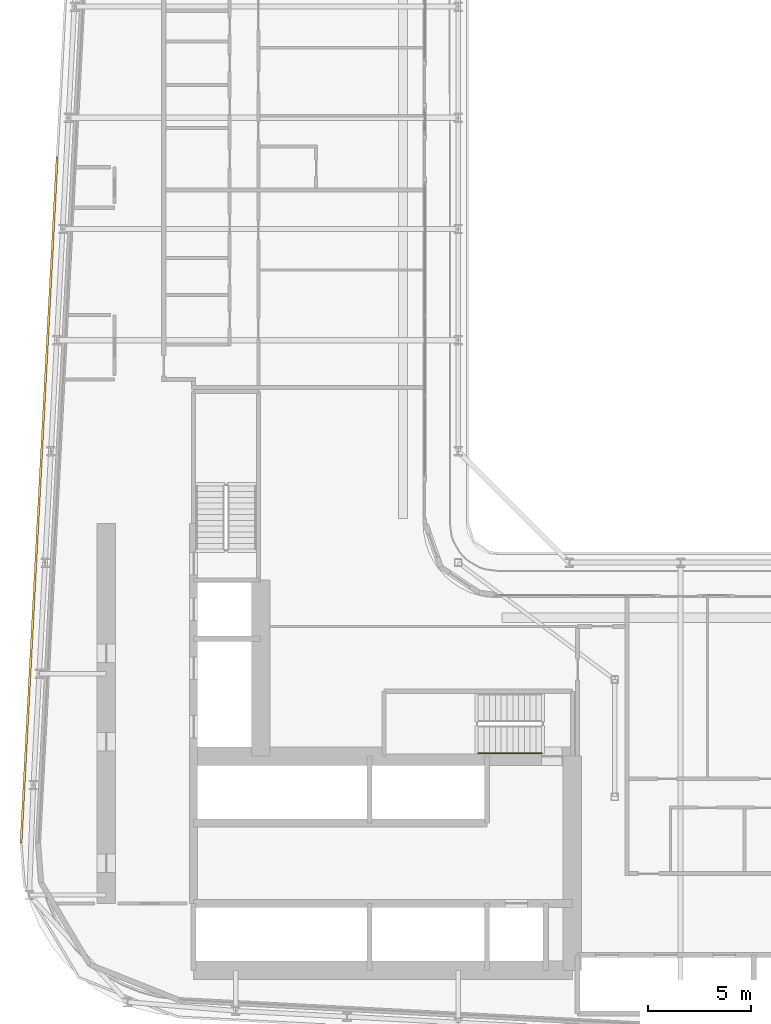
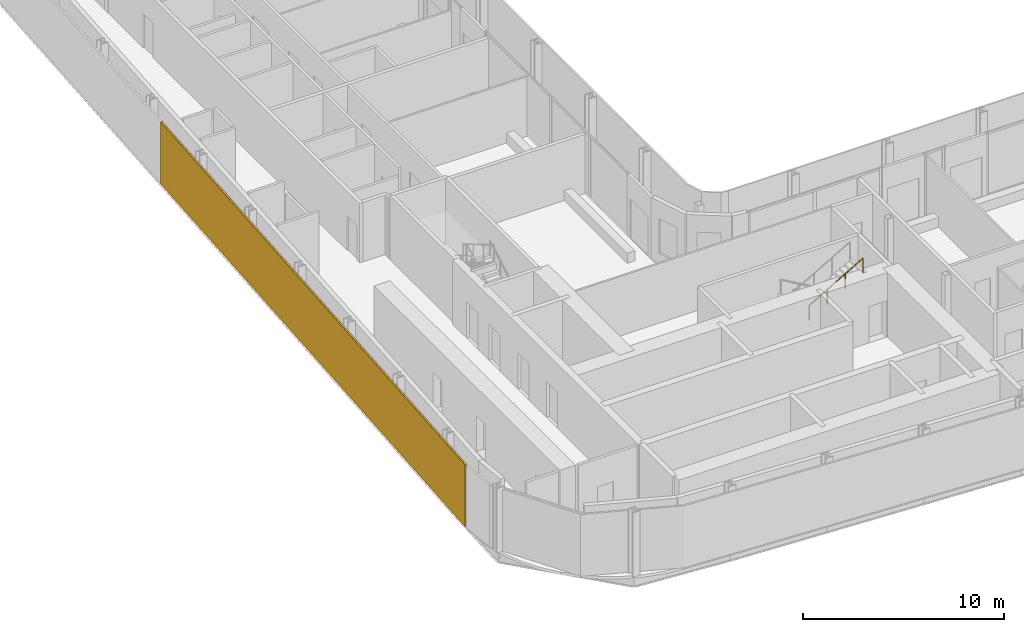
# One storey, part 22 of 28: 1 railing, 1 shading device.
"""IFC4 building model written with IfcOpenShell, lengths in metres."""

from ifc_helpers import new_model, si_unit, direction, frame, origin, origin_2d, place, context, subcontext, project, spatial, rectangle, circle, extrude, material, layer, layer_set, type_object, element, save


model = new_model("IFC4")

# Units and contexts
model_context = context("Model", 3, precision=1e-05, world=origin(), true_north=direction((0.0, 1.0)))
body_context = subcontext(model_context, "Body", "Model", "MODEL_VIEW")
ifc_project = project(units=[si_unit("LENGTHUNIT", "METRE"), si_unit("AREAUNIT", "SQUARE_METRE"), si_unit("VOLUMEUNIT", "CUBIC_METRE"), si_unit("PLANEANGLEUNIT", "RADIAN"), si_unit("MASSUNIT", "GRAM", prefix="KILO")], contexts=[model_context])

# Site, building, storey
site_placement = place(None, origin())
site = spatial("IfcSite", under=ifc_project, at=site_placement, CompositionType="ELEMENT")
building_placement = place(site_placement, origin())
building = spatial("IfcBuilding", under=site, at=building_placement, Name="Kheshtan School and Residences Tower", CompositionType="ELEMENT")
storey_placement = place(building_placement, frame((0.0, 0.0, 129.199951171875)))
storey = spatial("IfcBuildingStorey", under=building, at=storey_placement, Name="L30", CompositionType="ELEMENT", Elevation=129.199951171875)

# Shading device
ifc_material_1 = material(Name="Terracotta baguette, extruded ceramic", Category="masonry")
ifc_layer = layer(ifc_material_1, 0.10009765625)
ifc_layer_set = layer_set([ifc_layer], Name="Ledge screen, terracotta baguettes")
shading_device_type = type_object("IfcShadingDeviceType", Name="Ledge screen, terracotta baguettes", PredefinedType="USERDEFINED", material=ifc_layer_set)
shading_device_placement = place(storey_placement, frame((27.24609375, 48.638916015625, 0.0), z_axis=(0.0, 0.0, 1.0), x_axis=(0.052562536748, 0.998617634398, 0.0)))
element("IfcShadingDevice", 1, at=shading_device_placement, inside=storey, type_object=shading_device_type, Name="Screen L30 4", ObjectType="BAGUETTE", PredefinedType="USERDEFINED", context=body_context, shape_type="SweptSolid", body=[
    extrude(rectangle(XDim=33.341064453125, YDim=0.10009765625, at=origin_2d()), origin(), (0.0, 0.0, 1.0), 3.75),
])

# Railing
ifc_material_2 = material(Name="Stainless steel handrail", Category="steel")
railing_type = type_object("IfcRailingType", Name="Stair handrail 900", PredefinedType="HANDRAIL", material=ifc_material_2)
railing_placement = place(storey_placement, frame((48.570068359375, 36.35009765625, 2.112548828125)))
element("IfcRailing", 2, at=railing_placement, inside=storey, type_object=railing_type, Name="L30 ST1 stair handrail 2", PredefinedType="HANDRAIL", context=body_context, shape_type="SweptSolid", body=[
    extrude(circle(Radius=0.02392578125, at=origin_2d()), frame((0.0, 0.0, 0.8759765625), z_axis=(0.864873446163, 0.0, 0.501989962173), x_axis=(0.0, 1.0, 0.0)), (0.0, 0.0, 1.0), 3.56103515625),
    extrude(circle(Radius=0.02099609375, at=origin_2d()), origin(), (0.0, 0.0, 1.0), 0.851806640625),
    extrude(circle(Radius=0.02099609375, at=origin_2d()), frame((1.026611328125, 0.0, 0.595947265625)), (0.0, 0.0, 1.0), 0.851806640625),
    extrude(circle(Radius=0.02099609375, at=origin_2d()), frame((2.05322265625, 0.0, 1.191650390625)), (0.0, 0.0, 1.0), 0.851806640625),
    extrude(circle(Radius=0.02099609375, at=origin_2d()), frame((3.079833984375, 0.0, 1.78759765625)), (0.0, 0.0, 1.0), 0.851806640625),
])

save(model, "model.ifc")
